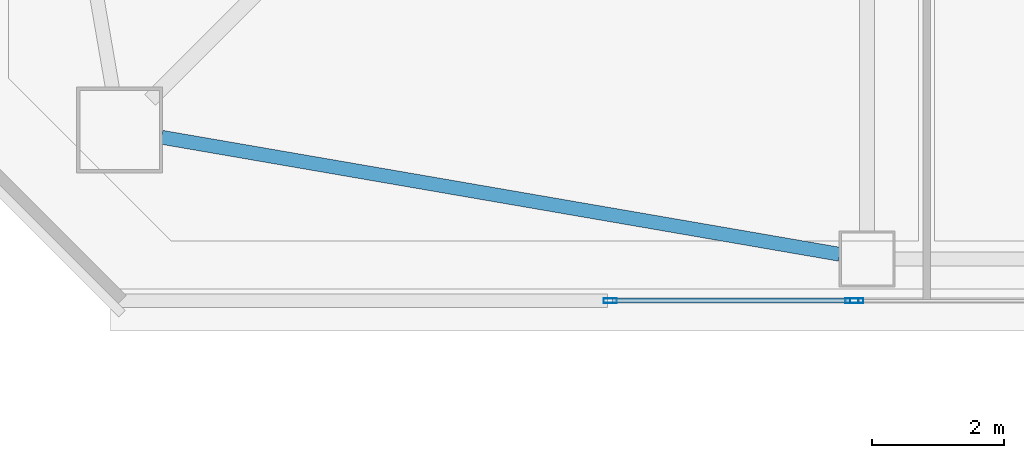
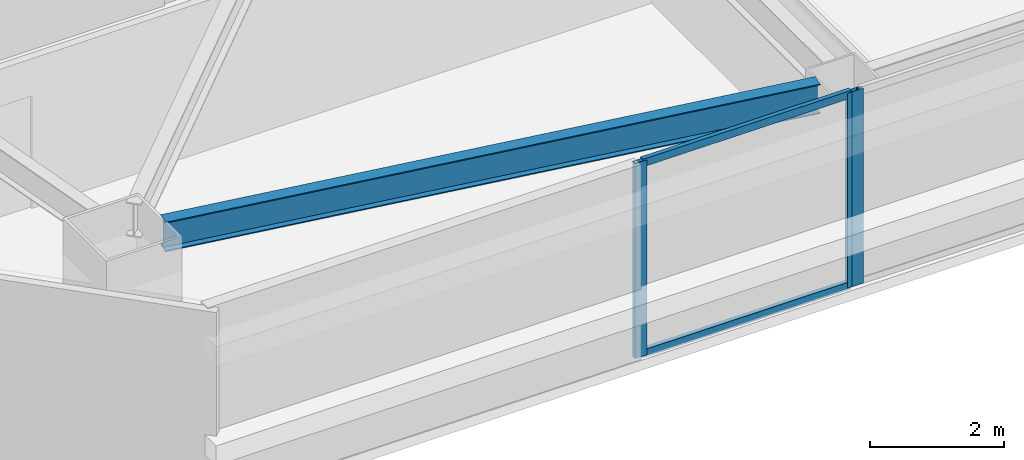
# One storey, part 3 of 41: 5 members, 1 beam, 2 elements without a shape of their own.
"""IFC4 building model written with IfcOpenShell, lengths in metres."""

from ifc_helpers import new_model, si_unit, direction, frame, origin, origin_2d, place, context, subcontext, project, spatial, hollow_rectangle, i_section, extrude, material, material_profile, profile_set, type_object, element, aggregate, save


model = new_model("IFC4")

# Units and contexts
model_context = context("Model", 3, precision=1e-05, world=origin(), true_north=direction((0.0, 1.0)))
body_context = subcontext(model_context, "Body", "Model", "MODEL_VIEW")
ifc_project = project(units=[si_unit("LENGTHUNIT", "METRE"), si_unit("AREAUNIT", "SQUARE_METRE"), si_unit("VOLUMEUNIT", "CUBIC_METRE"), si_unit("PLANEANGLEUNIT", "RADIAN"), si_unit("MASSUNIT", "GRAM", prefix="KILO")], contexts=[model_context])

# Site, building, storey
site_placement = place(None, origin())
site = spatial("IfcSite", under=ifc_project, at=site_placement, CompositionType="ELEMENT")
building_placement = place(site_placement, origin())
building = spatial("IfcBuilding", under=site, at=building_placement, Name="Tashvorn Skyway Center", CompositionType="ELEMENT")
storey_placement = place(building_placement, frame((0.0, 0.0, 146.35009765625)))
storey = spatial("IfcBuildingStorey", under=building, at=storey_placement, Name="L39", CompositionType="ELEMENT", Elevation=146.35009765625)

# Beam
ifc_material_1 = material(Name="Steel ASTM A992 Grade 50", Category="steel")
ifc_material_profile_1 = material_profile(ifc_material_1, i_section(OverallWidth=0.2109375, OverallDepth=0.5390625, WebThickness=0.01171875, FlangeThickness=0.018798828125, at=origin_2d()), Name="W21X73")
ifc_profile_set_1 = profile_set([ifc_material_profile_1], Name="Steel ASTM A992 Grade 50")
beam_type = type_object("IfcBeamType", Name="BM-SPANDREL-W21X73", PredefinedType="SPANDREL", material=ifc_profile_set_1)
beam_placement = place(storey_placement, frame((25.935546875, 15.1904296875, 3.100341796875), z_axis=(0.985432458462, -0.170067250846, 0.0), x_axis=(0.170067250846, 0.985432458462, 0.0)))
element("IfcBeam", 1, at=beam_placement, inside=storey, type_object=beam_type, Name="Tower 1 L39 Spandrel Beam 01", PredefinedType="SPANDREL", context=body_context, shape_type="SweptSolid", body=[
    extrude(i_section(OverallWidth=0.2109375, OverallDepth=0.5390625, WebThickness=0.01171875, FlangeThickness=0.018798828125, at=origin_2d()), origin(), (0.0, 0.0, 1.0), 10.402099609375),
])

# Curtain wall, member
ifc_material_2 = material(Name="Thermally broken bronze-anodized aluminium 6063-T6", Category="aluminium")
curtain_wall_type = type_object("IfcCurtainWallType", Name="CW-CW-Z3", PredefinedType="NOTDEFINED", material=ifc_material_2)
curtain_wall_1_placement = place(storey_placement, origin())
curtain_wall_1 = element("IfcCurtainWall", 2, at=curtain_wall_1_placement, inside=storey, type_object=curtain_wall_type, Name="Tower 1 L39 South Unitised Curtain Wall Glazing Group 2", PredefinedType="NOTDEFINED")
ifc_material_profile_2 = material_profile(ifc_material_2, hollow_rectangle(XDim=0.074951171875, YDim=0.199951171875, WallThickness=0.00439453125, at=origin_2d()), Name="ALU-MULL-75x200")
ifc_profile_set_2 = profile_set([ifc_material_profile_2], Name="Thermally broken bronze-anodized aluminium 6063-T6")
member_type_1 = type_object("IfcMemberType", Name="CWM-CW-Z3", PredefinedType="MULLION", material=ifc_profile_set_2)
member_1_placement = place(storey_placement, frame((36.444091796875, 12.719970703125, 0.0), z_axis=(0.0, 0.0, 1.0), x_axis=(0.0, -1.0, 0.0)))
member_1 = element("IfcMember", 3, at=member_1_placement, type_object=member_type_1, Name="CW-Z3 mullion 2", PredefinedType="MULLION", context=body_context, shape_type="SweptSolid", body=[
    extrude(hollow_rectangle(XDim=0.074951171875, YDim=0.199951171875, WallThickness=0.00439453125, at=origin_2d()), origin(), (0.0, 0.0, 1.0), 3.5498046875),
])
aggregate(curtain_wall_1, [member_1])

# Curtain wall, members
curtain_wall_2_placement = place(storey_placement, origin())
curtain_wall_2 = element("IfcCurtainWall", 4, at=curtain_wall_2_placement, inside=storey, type_object=curtain_wall_type, Name="Tower 1 L39 South Unitised Curtain Wall Glazing Group 3", PredefinedType="NOTDEFINED")
member_2_placement = place(storey_placement, frame((36.369140625, 12.719970703125, 0.0), z_axis=(0.0, 0.0, 1.0), x_axis=(0.0, -1.0, 0.0)))
member_2 = element("IfcMember", 5, at=member_2_placement, type_object=member_type_1, Name="CW-Z3 mullion 1", PredefinedType="MULLION", context=body_context, shape_type="SweptSolid", body=[
    extrude(hollow_rectangle(XDim=0.074951171875, YDim=0.199951171875, WallThickness=0.00439453125, at=origin_2d()), origin(), (0.0, 0.0, 1.0), 3.5498046875),
])
member_3_placement = place(storey_placement, frame((32.71533203125, 12.719970703125, 0.0), z_axis=(0.0, 0.0, 1.0), x_axis=(0.0, -1.0, 0.0)))
member_3 = element("IfcMember", 6, at=member_3_placement, type_object=member_type_1, Name="CW-Z3 mullion 2", PredefinedType="MULLION", context=body_context, shape_type="SweptSolid", body=[
    extrude(hollow_rectangle(XDim=0.074951171875, YDim=0.199951171875, WallThickness=0.00439453125, at=origin_2d()), origin(), (0.0, 0.0, 1.0), 3.5498046875),
])
ifc_material_profile_3 = material_profile(ifc_material_2, hollow_rectangle(XDim=0.074951171875, YDim=0.139892578125, WallThickness=0.004150390625, at=origin_2d()), Name="ALU-TRAN-75x140")
ifc_profile_set_3 = profile_set([ifc_material_profile_3], Name="Thermally broken bronze-anodized aluminium 6063-T6")
member_type_2 = type_object("IfcMemberType", Name="CWT-CW-Z3", PredefinedType="USERDEFINED", material=ifc_profile_set_3)
member_4_placement = place(storey_placement, frame((36.331787109375, 12.719970703125, 0.037353515625), z_axis=(-1.0, 0.0, 0.0), x_axis=(0.0, -1.0, 0.0)))
member_4 = element("IfcMember", 7, at=member_4_placement, type_object=member_type_2, Name="CW-Z3 transom 1.1", ObjectType="TRANSOM", PredefinedType="USERDEFINED", context=body_context, shape_type="SweptSolid", body=[
    extrude(hollow_rectangle(XDim=0.074951171875, YDim=0.139892578125, WallThickness=0.004150390625, at=origin_2d()), origin(), (0.0, 0.0, 1.0), 3.5791015625),
])
member_5_placement = place(storey_placement, frame((36.331787109375, 12.719970703125, 3.512451171875), z_axis=(-1.0, 0.0, 0.0), x_axis=(0.0, -1.0, 0.0)))
member_5 = element("IfcMember", 8, at=member_5_placement, type_object=member_type_2, Name="CW-Z3 transom 1.2", ObjectType="TRANSOM", PredefinedType="USERDEFINED", context=body_context, shape_type="SweptSolid", body=[
    extrude(hollow_rectangle(XDim=0.074951171875, YDim=0.139892578125, WallThickness=0.004150390625, at=origin_2d()), origin(), (0.0, 0.0, 1.0), 3.5791015625),
])
aggregate(curtain_wall_2, [member_2, member_3, member_4, member_5])

save(model, "model.ifc")
